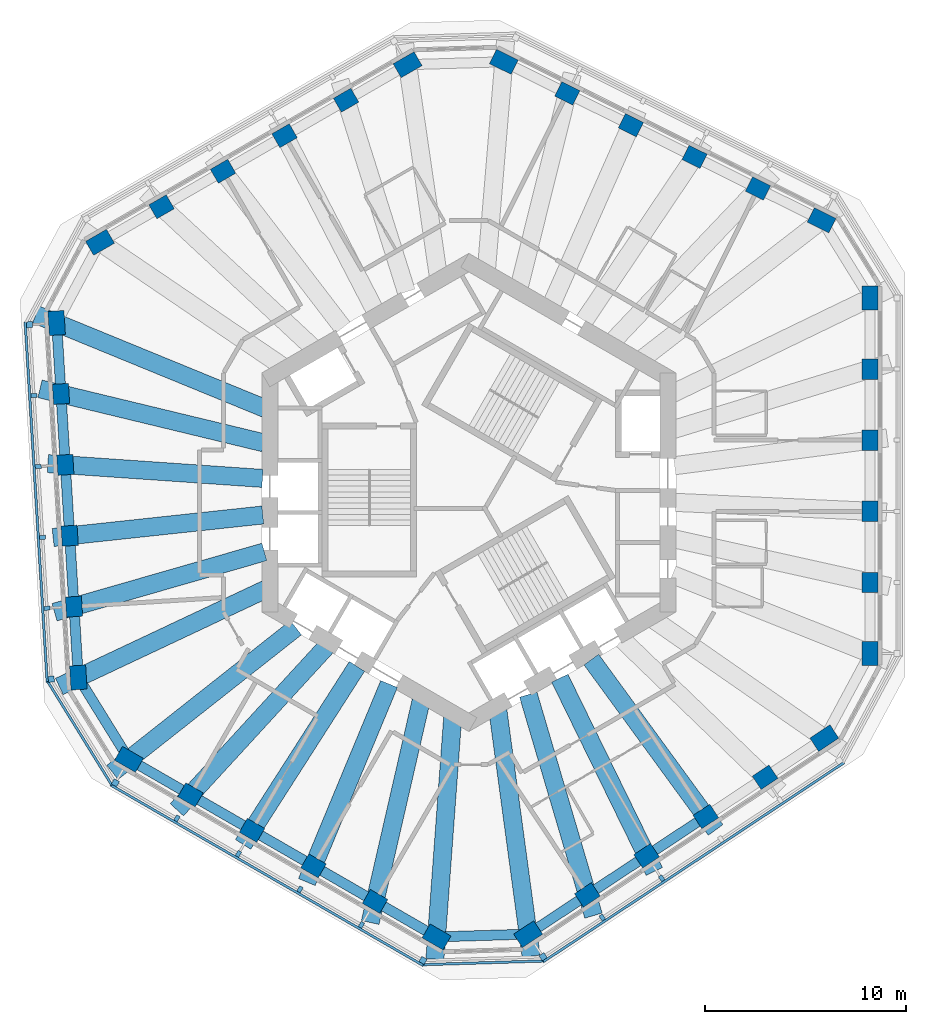
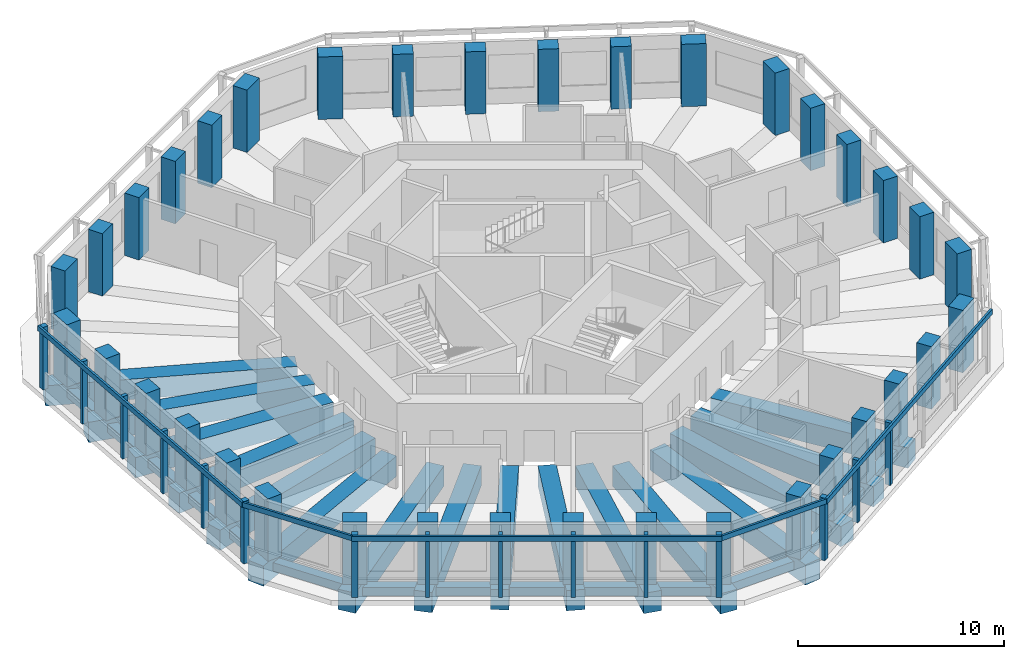
# One storey, part 1 of 11: 36 columns, 31 beams, 20 members, 5 elements without a shape of their own.
"""IFC4 building model written with IfcOpenShell, lengths in metres."""

from ifc_helpers import new_model, si_unit, direction, frame, origin, origin_2d, place, context, subcontext, project, spatial, rectangle, extrude, material, material_profile, profile_set, type_object, element, aggregate, save


model = new_model("IFC4")

# Units and contexts
model_context = context("Model", 3, precision=1e-05, world=origin(), true_north=direction((0.0, 1.0)))
body_context = subcontext(model_context, "Body", "Model", "MODEL_VIEW")
ifc_project = project(units=[si_unit("LENGTHUNIT", "METRE"), si_unit("AREAUNIT", "SQUARE_METRE"), si_unit("VOLUMEUNIT", "CUBIC_METRE"), si_unit("PLANEANGLEUNIT", "RADIAN"), si_unit("MASSUNIT", "GRAM", prefix="KILO")], contexts=[model_context])

# Site, building, storey
site_placement = place(None, origin())
site = spatial("IfcSite", under=ifc_project, at=site_placement, CompositionType="ELEMENT")
building_placement = place(site_placement, origin())
building = spatial("IfcBuilding", under=site, at=building_placement, Name="Vanh Sen Convention Tower", CompositionType="ELEMENT")
storey_placement = place(building_placement, frame((0.0, 0.0, 210.60009765625)))
storey = spatial("IfcBuildingStorey", under=building, at=storey_placement, Name="L52", CompositionType="ELEMENT", Elevation=210.60009765625)

# Columns
ifc_material_1 = material(Name="Concrete C60/75", Category="concrete")
ifc_material_profile_1 = material_profile(ifc_material_1, rectangle(XDim=1.0, YDim=0.800048828125, at=origin_2d()), Name="RC 1000X800")
ifc_profile_set_1 = profile_set([ifc_material_profile_1], Name="Concrete C60/75")
column_type_1 = type_object("IfcColumnType", Name="Facade column 1000 x 800 C60/75", PredefinedType="COLUMN", material=ifc_profile_set_1)
for number, where, z_axis, x_axis, name in (
    (1, (19.949951171875, -4.46923828125, 0.0), (0.0, 0.0, 1.0), (0.0, 1.0, 0.0), "Facade column 02 L52"),
    (2, (19.949951171875, -0.935546875, 0.0), (0.0, 0.0, 1.0), (0.0, 1.0, 0.0), "Facade column 03 L52"),
    (3, (19.949951171875, 2.59814453125, 0.0), (0.0, 0.0, 1.0), (0.0, 1.0, 0.0), "Facade column 04 L52"),
    (4, (19.949951171875, 6.131591796875, 0.0), (0.0, 0.0, 1.0), (0.0, 1.0, 0.0), "Facade column 05 L52"),
    (5, (14.38916015625, 15.117919921875, 0.0), (0.0, 0.0, 1.0), (-0.894934361602, 0.44619781311, 0.0), "Facade column 08 L52"),
    (6, (11.226806640625, 16.694580078125, 0.0), (0.0, 0.0, 1.0), (-0.894934361602, 0.44619781311, 0.0), "Facade column 09 L52"),
    (7, (8.064453125, 18.271484375, 0.0), (0.0, 0.0, 1.0), (-0.894934361602, 0.44619781311, 0.0), "Facade column 10 L52"),
    (8, (4.902099609375, 19.84814453125, 0.0), (0.0, 0.0, 1.0), (-0.894934361602, 0.44619781311, 0.0), "Facade column 11 L52"),
    (9, (-6.1044921875, 19.51171875, 0.0), (0.0, 0.0, 1.0), (-0.866025403784, -0.5, 0.0), "Facade column 14 L52"),
    (10, (-9.164794921875, 17.7451171875, 0.0), (0.0, 0.0, 1.0), (-0.866025403784, -0.5, 0.0), "Facade column 15 L52"),
    (11, (-12.22509765625, 15.978271484375, 0.0), (0.0, 0.0, 1.0), (-0.866025403784, -0.5, 0.0), "Facade column 16 L52"),
    (12, (-15.28515625, 14.211181640625, 0.0), (0.0, 0.0, 1.0), (-0.866025403784, -0.5, 0.0), "Facade column 17 L52"),
    (13, (-20.287109375, 4.90234375, 0.0), (0.0, 0.0, 1.0), (0.061048539535, -0.998134798422, 0.0), "Facade column 20 L52"),
    (14, (-20.0712890625, 1.375244140625, 0.0), (0.0, 0.0, 1.0), (0.061048539535, -0.998134798422, 0.0), "Facade column 21 L52"),
    (15, (-19.855712890625, -2.151611328125, 0.0), (0.0, 0.0, 1.0), (0.061048539535, -0.998134798422, 0.0), "Facade column 22 L52"),
    (16, (-19.639892578125, -5.6787109375, 0.0), (0.0, 0.0, 1.0), (0.061048539535, -0.998134798422, 0.0), "Facade column 23 L52"),
    (17, (-13.845458984375, -15.04248046875, 0.0), (0.0, 0.0, 1.0), (0.866025403784, -0.5, 0.0), "Facade column 26 L52"),
    (18, (-10.78515625, -16.809326171875, 0.0), (0.0, 0.0, 1.0), (0.866025403784, -0.5, 0.0), "Facade column 27 L52"),
    (19, (-7.72509765625, -18.576416015625, 0.0), (0.0, 0.0, 1.0), (0.866025403784, -0.5, 0.0), "Facade column 28 L52"),
    (20, (-4.664794921875, -20.343017578125, 0.0), (0.0, 0.0, 1.0), (0.866025403784, -0.5, 0.0), "Facade column 29 L52"),
    (21, (5.89794921875, -20.0205078125, 0.0), (0.0, 0.0, 1.0), (0.833885822067, 0.551936985312, 0.0), "Facade column 32 L52"),
    (22, (8.844482421875, -18.070068359375, 0.0), (0.0, 0.0, 1.0), (0.833885822067, 0.551936985312, 0.0), "Facade column 33 L52"),
    (23, (11.791259765625, -16.11962890625, 0.0), (0.0, 0.0, 1.0), (0.833885822067, 0.551936985312, 0.0), "Facade column 34 L52"),
    (24, (14.73779296875, -14.169189453125, 0.0), (0.0, 0.0, 1.0), (0.833885822067, 0.551936985312, 0.0), "Facade column 35 L52"),
):
    element("IfcColumn", number, at=place(storey_placement, frame(where, z_axis=z_axis, x_axis=x_axis)), inside=storey, type_object=column_type_1, Name=name, PredefinedType="COLUMN", context=body_context, shape_type="SweptSolid", body=[
        extrude(rectangle(XDim=1.0, YDim=0.800048828125, at=origin_2d()), origin(), (0.0, 0.0, 1.0), 3.699951171875),
    ])
ifc_material_profile_2 = material_profile(ifc_material_1, rectangle(XDim=1.199951171875, YDim=0.800048828125, at=origin_2d()), Name="RC 1200X800")
ifc_profile_set_2 = profile_set([ifc_material_profile_2], Name="Concrete C60/75")
column_type_2 = type_object("IfcColumnType", Name="Facade corner column 1200 x 800 C60/75", PredefinedType="COLUMN", material=ifc_profile_set_2)
for number, where, z_axis, x_axis, name in (
    (25, (19.949951171875, -8.002685546875, 0.0), (0.0, 0.0, 1.0), (0.0, 1.0, 0.0), "Facade column 01 L52"),
    (26, (19.949951171875, 9.665283203125, 0.0), (0.0, 0.0, 1.0), (0.0, 1.0, 0.0), "Facade column 06 L52"),
    (27, (17.551513671875, 13.541259765625, 0.0), (0.0, 0.0, 1.0), (-0.894934361602, 0.44619781311, 0.0), "Facade column 07 L52"),
    (28, (1.73974609375, 21.4248046875, 0.0), (0.0, 0.0, 1.0), (-0.894934361602, 0.44619781311, 0.0), "Facade column 12 L52"),
    (29, (-3.04443359375, 21.278564453125, 0.0), (0.0, 0.0, 1.0), (-0.866025403784, -0.5, 0.0), "Facade column 13 L52"),
    (30, (-18.345458984375, 12.444580078125, 0.0), (0.0, 0.0, 1.0), (-0.866025403784, -0.5, 0.0), "Facade column 18 L52"),
    (31, (-20.502685546875, 8.429443359375, 0.0), (0.0, 0.0, 1.0), (0.061048539535, -0.998134798422, 0.0), "Facade column 19 L52"),
    (32, (-19.42431640625, -9.205810546875, 0.0), (0.0, 0.0, 1.0), (0.061048539535, -0.998134798422, 0.0), "Facade column 24 L52"),
    (33, (-16.905517578125, -13.27587890625, 0.0), (0.0, 0.0, 1.0), (0.866025403784, -0.5, 0.0), "Facade column 25 L52"),
    (34, (-1.6044921875, -22.10986328125, 0.0), (0.0, 0.0, 1.0), (0.866025403784, -0.5, 0.0), "Facade column 30 L52"),
    (35, (2.951416015625, -21.970703125, 0.0), (0.0, 0.0, 1.0), (0.833885822067, 0.551936985312, 0.0), "Facade column 31 L52"),
    (36, (17.6845703125, -12.218994140625, 0.0), (0.0, 0.0, 1.0), (0.833885822067, 0.551936985312, 0.0), "Facade column 36 L52"),
):
    element("IfcColumn", number, at=place(storey_placement, frame(where, z_axis=z_axis, x_axis=x_axis)), inside=storey, type_object=column_type_2, Name=name, PredefinedType="COLUMN", context=body_context, shape_type="SweptSolid", body=[
        extrude(rectangle(XDim=1.199951171875, YDim=0.800048828125, at=origin_2d()), origin(), (0.0, 0.0, 1.0), 3.699951171875),
    ])

# Curtain wall, members
ifc_material_2 = material(Name="Concrete C50/60", Category="concrete")
curtain_wall_type = type_object("IfcCurtainWallType", Name="Outer skin office zone", PredefinedType="NOTDEFINED", material=ifc_material_2)
curtain_wall_1_placement = place(storey_placement, origin())
curtain_wall_1 = element("IfcCurtainWall", 37, at=curtain_wall_1_placement, inside=storey, type_object=curtain_wall_type, Name="OUTER SKIN W L52", PredefinedType="NOTDEFINED")
ifc_material_profile_3 = material_profile(ifc_material_2, rectangle(XDim=0.300048828125, YDim=0.300048828125, at=origin_2d()), Name="Outer skin precast corner fin 300 x 300")
ifc_profile_set_3 = profile_set([ifc_material_profile_3], Name="Concrete C50/60")
member_type_1 = type_object("IfcMemberType", Name="Outer skin precast corner fin 300 x 300", PredefinedType="MULLION", material=ifc_profile_set_3)
member_1_placement = place(storey_placement, frame((-21.850341796875, 8.346923828125, 0.0), z_axis=(0.0, 0.0, 1.0), x_axis=(0.061048539535, -0.998134798422, 0.0)))
member_1 = element("IfcMember", 38, at=member_1_placement, type_object=member_type_1, Name="OUTER SKIN CORNER FIN 1 W L52", PredefinedType="MULLION", context=body_context, shape_type="SweptSolid", body=[
    extrude(rectangle(XDim=0.300048828125, YDim=0.300048828125, at=origin_2d()), origin(), (0.0, 0.0, 1.0), 3.699951171875),
])
member_2_placement = place(storey_placement, frame((-20.771728515625, -9.2880859375, 0.0), z_axis=(0.0, 0.0, 1.0), x_axis=(0.061048539535, -0.998134798422, 0.0)))
member_2 = element("IfcMember", 39, at=member_2_placement, type_object=member_type_1, Name="OUTER SKIN CORNER FIN 6 W L52", PredefinedType="MULLION", context=body_context, shape_type="SweptSolid", body=[
    extrude(rectangle(XDim=0.300048828125, YDim=0.300048828125, at=origin_2d()), origin(), (0.0, 0.0, 1.0), 3.699951171875),
])

curtain_wall_2_placement = place(storey_placement, origin())
curtain_wall_2 = element("IfcCurtainWall", 40, at=curtain_wall_2_placement, inside=storey, type_object=curtain_wall_type, Name="OUTER SKIN SW L52", PredefinedType="NOTDEFINED")
member_3_placement = place(storey_placement, frame((-17.58056640625, -14.44482421875, 0.0), z_axis=(0.0, 0.0, 1.0), x_axis=(0.866025403784, -0.5, 0.0)))
member_3 = element("IfcMember", 41, at=member_3_placement, type_object=member_type_1, Name="OUTER SKIN CORNER FIN 1 SW L52", PredefinedType="MULLION", context=body_context, shape_type="SweptSolid", body=[
    extrude(rectangle(XDim=0.300048828125, YDim=0.300048828125, at=origin_2d()), origin(), (0.0, 0.0, 1.0), 3.699951171875),
])
member_4_placement = place(storey_placement, frame((-2.279541015625, -23.279052734375, 0.0), z_axis=(0.0, 0.0, 1.0), x_axis=(0.866025403784, -0.5, 0.0)))
member_4 = element("IfcMember", 42, at=member_4_placement, type_object=member_type_1, Name="OUTER SKIN CORNER FIN 6 SW L52", PredefinedType="MULLION", context=body_context, shape_type="SweptSolid", body=[
    extrude(rectangle(XDim=0.300048828125, YDim=0.300048828125, at=origin_2d()), origin(), (0.0, 0.0, 1.0), 3.699951171875),
])

# Curtain wall, member
curtain_wall_3_placement = place(storey_placement, origin())
curtain_wall_3 = element("IfcCurtainWall", 43, at=curtain_wall_3_placement, inside=storey, type_object=curtain_wall_type, Name="OUTER SKIN SE L52", PredefinedType="NOTDEFINED")
member_5_placement = place(storey_placement, frame((3.6962890625, -23.096435546875, 0.0), z_axis=(0.0, 0.0, 1.0), x_axis=(0.833885822067, 0.551936985312, 0.0)))
member_5 = element("IfcMember", 44, at=member_5_placement, type_object=member_type_1, Name="OUTER SKIN CORNER FIN 1 SE L52", PredefinedType="MULLION", context=body_context, shape_type="SweptSolid", body=[
    extrude(rectangle(XDim=0.300048828125, YDim=0.300048828125, at=origin_2d()), origin(), (0.0, 0.0, 1.0), 3.699951171875),
])

# Member
ifc_material_profile_4 = material_profile(ifc_material_2, rectangle(XDim=0.199951171875, YDim=0.300048828125, at=origin_2d()), Name="Outer skin precast fin 200 x 300")
ifc_profile_set_4 = profile_set([ifc_material_profile_4], Name="Concrete C50/60")
member_type_2 = type_object("IfcMemberType", Name="Outer skin precast fin 200 x 300", PredefinedType="MULLION", material=ifc_profile_set_4)
member_6_placement = place(storey_placement, frame((-21.634521484375, 4.820068359375, 0.0), z_axis=(0.0, 0.0, 1.0), x_axis=(0.061048539535, -0.998134798422, 0.0)))
member_6 = element("IfcMember", 45, at=member_6_placement, type_object=member_type_2, Name="OUTER SKIN fin 2 W L52", PredefinedType="MULLION", context=body_context, shape_type="SweptSolid", body=[
    extrude(rectangle(XDim=0.199951171875, YDim=0.300048828125, at=origin_2d()), origin(), (0.0, 0.0, 1.0), 3.699951171875),
])

member_7_placement = place(storey_placement, frame((-21.4189453125, 1.29296875, 0.0), z_axis=(0.0, 0.0, 1.0), x_axis=(0.061048539535, -0.998134798422, 0.0)))
member_7 = element("IfcMember", 46, at=member_7_placement, type_object=member_type_2, Name="OUTER SKIN fin 3 W L52", PredefinedType="MULLION", context=body_context, shape_type="SweptSolid", body=[
    extrude(rectangle(XDim=0.199951171875, YDim=0.300048828125, at=origin_2d()), origin(), (0.0, 0.0, 1.0), 3.699951171875),
])

member_8_placement = place(storey_placement, frame((-21.203125, -2.234130859375, 0.0), z_axis=(0.0, 0.0, 1.0), x_axis=(0.061048539535, -0.998134798422, 0.0)))
member_8 = element("IfcMember", 47, at=member_8_placement, type_object=member_type_2, Name="OUTER SKIN fin 4 W L52", PredefinedType="MULLION", context=body_context, shape_type="SweptSolid", body=[
    extrude(rectangle(XDim=0.199951171875, YDim=0.300048828125, at=origin_2d()), origin(), (0.0, 0.0, 1.0), 3.699951171875),
])

member_9_placement = place(storey_placement, frame((-20.987548828125, -5.760986328125, 0.0), z_axis=(0.0, 0.0, 1.0), x_axis=(0.061048539535, -0.998134798422, 0.0)))
member_9 = element("IfcMember", 48, at=member_9_placement, type_object=member_type_2, Name="OUTER SKIN fin 5 W L52", PredefinedType="MULLION", context=body_context, shape_type="SweptSolid", body=[
    extrude(rectangle(XDim=0.199951171875, YDim=0.300048828125, at=origin_2d()), origin(), (0.0, 0.0, 1.0), 3.699951171875),
])

member_10_placement = place(storey_placement, frame((-14.5205078125, -16.211669921875, 0.0), z_axis=(0.0, 0.0, 1.0), x_axis=(0.866025403784, -0.5, 0.0)))
member_10 = element("IfcMember", 49, at=member_10_placement, type_object=member_type_2, Name="OUTER SKIN fin 2 SW L52", PredefinedType="MULLION", context=body_context, shape_type="SweptSolid", body=[
    extrude(rectangle(XDim=0.199951171875, YDim=0.300048828125, at=origin_2d()), origin(), (0.0, 0.0, 1.0), 3.699951171875),
])

member_11_placement = place(storey_placement, frame((-11.460205078125, -17.978515625, 0.0), z_axis=(0.0, 0.0, 1.0), x_axis=(0.866025403784, -0.5, 0.0)))
member_11 = element("IfcMember", 50, at=member_11_placement, type_object=member_type_2, Name="OUTER SKIN fin 3 SW L52", PredefinedType="MULLION", context=body_context, shape_type="SweptSolid", body=[
    extrude(rectangle(XDim=0.199951171875, YDim=0.300048828125, at=origin_2d()), origin(), (0.0, 0.0, 1.0), 3.699951171875),
])

member_12_placement = place(storey_placement, frame((-8.39990234375, -19.745361328125, 0.0), z_axis=(0.0, 0.0, 1.0), x_axis=(0.866025403784, -0.5, 0.0)))
member_12 = element("IfcMember", 51, at=member_12_placement, type_object=member_type_2, Name="OUTER SKIN fin 4 SW L52", PredefinedType="MULLION", context=body_context, shape_type="SweptSolid", body=[
    extrude(rectangle(XDim=0.199951171875, YDim=0.300048828125, at=origin_2d()), origin(), (0.0, 0.0, 1.0), 3.699951171875),
])

member_13_placement = place(storey_placement, frame((-5.33984375, -21.51220703125, 0.0), z_axis=(0.0, 0.0, 1.0), x_axis=(0.866025403784, -0.5, 0.0)))
member_13 = element("IfcMember", 52, at=member_13_placement, type_object=member_type_2, Name="OUTER SKIN fin 5 SW L52", PredefinedType="MULLION", context=body_context, shape_type="SweptSolid", body=[
    extrude(rectangle(XDim=0.199951171875, YDim=0.300048828125, at=origin_2d()), origin(), (0.0, 0.0, 1.0), 3.699951171875),
])

member_14_placement = place(storey_placement, frame((6.64306640625, -21.14599609375, 0.0), z_axis=(0.0, 0.0, 1.0), x_axis=(0.833885822067, 0.551936985312, 0.0)))
member_14 = element("IfcMember", 53, at=member_14_placement, type_object=member_type_2, Name="OUTER SKIN fin 2 SE L52", PredefinedType="MULLION", context=body_context, shape_type="SweptSolid", body=[
    extrude(rectangle(XDim=0.199951171875, YDim=0.300048828125, at=origin_2d()), origin(), (0.0, 0.0, 1.0), 3.699951171875),
])

member_15_placement = place(storey_placement, frame((9.589599609375, -19.19580078125, 0.0), z_axis=(0.0, 0.0, 1.0), x_axis=(0.833885822067, 0.551936985312, 0.0)))
member_15 = element("IfcMember", 54, at=member_15_placement, type_object=member_type_2, Name="OUTER SKIN fin 3 SE L52", PredefinedType="MULLION", context=body_context, shape_type="SweptSolid", body=[
    extrude(rectangle(XDim=0.199951171875, YDim=0.300048828125, at=origin_2d()), origin(), (0.0, 0.0, 1.0), 3.699951171875),
])

ifc_material_profile_5 = material_profile(ifc_material_2, rectangle(XDim=0.1201171875, YDim=0.300048828125, at=origin_2d()), Name="Outer skin precast spandrel band 300 x 120")
ifc_profile_set_5 = profile_set([ifc_material_profile_5], Name="Concrete C50/60")
member_type_3 = type_object("IfcMemberType", Name="Outer skin precast spandrel band 300 x 120", PredefinedType="USERDEFINED", material=ifc_profile_set_5)
member_16_placement = place(storey_placement, frame((-22.069091796875, 8.48388671875, 3.5498046875), z_axis=(0.061048457282, -0.998134803453, 0.0), x_axis=(0.998134803453, 0.061048457282, 0.0)))
member_16 = element("IfcMember", 55, at=member_16_placement, type_object=member_type_3, Name="OUTER SKIN spandrel band W L52", ObjectType="TRANSOM", PredefinedType="USERDEFINED", context=body_context, shape_type="SweptSolid", body=[
    extrude(rectangle(XDim=0.1201171875, YDim=0.300048828125, at=origin_2d()), origin(), (0.0, 0.0, 1.0), 17.968017578125),
])

aggregate(curtain_wall_1, [member_1, member_6, member_7, member_8, member_9, member_2, member_16])

# Curtain wall, member
curtain_wall_4_placement = place(storey_placement, origin())
curtain_wall_4 = element("IfcCurtainWall", 56, at=curtain_wall_4_placement, inside=storey, type_object=curtain_wall_type, Name="OUTER SKIN CH4 L52", PredefinedType="NOTDEFINED")
member_17_placement = place(storey_placement, frame((-20.9501953125, -9.398681640625, 3.5498046875), z_axis=(0.526193830542, -0.850364658661, 0.0), x_axis=(0.850364658661, 0.526193830542, 0.0)))
member_17 = element("IfcMember", 57, at=member_17_placement, type_object=member_type_3, Name="OUTER SKIN spandrel band CH4 L52", ObjectType="TRANSOM", PredefinedType="USERDEFINED", context=body_context, shape_type="SweptSolid", body=[
    extrude(rectangle(XDim=0.1201171875, YDim=0.300048828125, at=origin_2d()), origin(), (0.0, 0.0, 1.0), 6.064208984375),
])
aggregate(curtain_wall_4, [member_17])

# Member
member_18_placement = place(storey_placement, frame((-17.8154296875, -14.5517578125, 3.5498046875), z_axis=(0.866022898019, -0.500004340088, 0.0), x_axis=(0.500004340088, 0.866022898019, 0.0)))
member_18 = element("IfcMember", 58, at=member_18_placement, type_object=member_type_3, Name="OUTER SKIN spandrel band SW L52", ObjectType="TRANSOM", PredefinedType="USERDEFINED", context=body_context, shape_type="SweptSolid", body=[
    extrude(rectangle(XDim=0.1201171875, YDim=0.300048828125, at=origin_2d()), origin(), (0.0, 0.0, 1.0), 17.968017578125),
])

aggregate(curtain_wall_2, [member_3, member_10, member_11, member_12, member_13, member_4, member_18])

# Curtain wall, member
curtain_wall_5_placement = place(storey_placement, origin())
curtain_wall_5 = element("IfcCurtainWall", 59, at=curtain_wall_5_placement, inside=storey, type_object=curtain_wall_type, Name="OUTER SKIN CH5 L52", PredefinedType="NOTDEFINED")
member_19_placement = place(storey_placement, frame((-2.273193359375, -23.489013671875, 3.5498046875), z_axis=(0.99953342946, 0.030543794642, 0.0), x_axis=(-0.030543794642, 0.99953342946, 0.0)))
member_19 = element("IfcMember", 60, at=member_19_placement, type_object=member_type_3, Name="OUTER SKIN spandrel band CH5 L52", ObjectType="TRANSOM", PredefinedType="USERDEFINED", context=body_context, shape_type="SweptSolid", body=[
    extrude(rectangle(XDim=0.1201171875, YDim=0.300048828125, at=origin_2d()), origin(), (0.0, 0.0, 1.0), 5.978759765625),
])
aggregate(curtain_wall_5, [member_19])

# Member
member_20_placement = place(storey_placement, frame((3.687255859375, -23.3544921875, 3.5498046875), z_axis=(0.83388107344, 0.551944159638, 0.0), x_axis=(-0.551944159638, 0.83388107344, 0.0)))
member_20 = element("IfcMember", 61, at=member_20_placement, type_object=member_type_3, Name="OUTER SKIN spandrel band SE L52", ObjectType="TRANSOM", PredefinedType="USERDEFINED", context=body_context, shape_type="SweptSolid", body=[
    extrude(rectangle(XDim=0.1201171875, YDim=0.300048828125, at=origin_2d()), origin(), (0.0, 0.0, 1.0), 17.96826171875),
])

aggregate(curtain_wall_3, [member_5, member_14, member_15, member_20])

# Beams
ifc_material_3 = material(Name="Concrete C50/60", Category="concrete")
ifc_material_profile_6 = material_profile(ifc_material_3, rectangle(XDim=0.5, YDim=0.5, at=origin_2d()), Name="RC 500X500")
ifc_profile_set_6 = profile_set([ifc_material_profile_6], Name="Concrete C50/60")
beam_type_1 = type_object("IfcBeamType", Name="Spandrel beam 500 x 500", PredefinedType="SPANDREL", material=ifc_profile_set_6)
beam_1_placement = place(storey_placement, frame((-20.47998046875, 8.05615234375, -0.530029296875), z_axis=(0.061067063656, -0.998133665266, 0.0), x_axis=(0.998133665266, 0.061067063656, 0.0)))
element("IfcBeam", 62, at=beam_1_placement, inside=storey, type_object=beam_type_1, Name="Spandrel beam 19 L52", PredefinedType="SPANDREL", context=body_context, shape_type="SweptSolid", body=[
    extrude(rectangle(XDim=0.5, YDim=0.5, at=origin_2d()), origin(), (0.0, 0.0, 1.0), 2.7705078125),
])
beam_2_placement = place(storey_placement, frame((-20.263427734375, 4.51416015625, -0.530029296875), z_axis=(0.061113701817, -0.998130810791, 0.0), x_axis=(0.998130810791, 0.061113701817, 0.0)))
element("IfcBeam", 63, at=beam_2_placement, inside=storey, type_object=beam_type_1, Name="Spandrel beam 20 L52", PredefinedType="SPANDREL", context=body_context, shape_type="SweptSolid", body=[
    extrude(rectangle(XDim=0.5, YDim=0.5, at=origin_2d()), origin(), (0.0, 0.0, 1.0), 2.728515625),
])
beam_3_placement = place(storey_placement, frame((-20.0458984375, 0.9599609375, -0.530029296875), z_axis=(0.061047170352, -0.998134882164, 0.0), x_axis=(0.998134882164, 0.061047170352, 0.0)))
element("IfcBeam", 64, at=beam_3_placement, inside=storey, type_object=beam_type_1, Name="Spandrel beam 21 L52", PredefinedType="SPANDREL", context=body_context, shape_type="SweptSolid", body=[
    extrude(rectangle(XDim=0.5, YDim=0.5, at=origin_2d()), origin(), (0.0, 0.0, 1.0), 2.68359375),
])
beam_4_placement = place(storey_placement, frame((-19.8291015625, -2.5849609375, -0.530029296875), z_axis=(0.061054891408, -0.998134409904, 0.0), x_axis=(0.998134409904, 0.061054891408, 0.0)))
element("IfcBeam", 65, at=beam_4_placement, inside=storey, type_object=beam_type_1, Name="Spandrel beam 22 L52", PredefinedType="SPANDREL", context=body_context, shape_type="SweptSolid", body=[
    extrude(rectangle(XDim=0.5, YDim=0.5, at=origin_2d()), origin(), (0.0, 0.0, 1.0), 2.69921875),
])
beam_5_placement = place(storey_placement, frame((-19.615478515625, -6.078369140625, -0.530029296875), z_axis=(0.061003697926, -0.998137540041, 0.0), x_axis=(0.998137540041, 0.061003697926, 0.0)))
element("IfcBeam", 66, at=beam_5_placement, inside=storey, type_object=beam_type_1, Name="Spandrel beam 23 L52", PredefinedType="SPANDREL", context=body_context, shape_type="SweptSolid", body=[
    extrude(rectangle(XDim=0.5, YDim=0.5, at=origin_2d()), origin(), (0.0, 0.0, 1.0), 2.75341796875),
])
beam_6_placement = place(storey_placement, frame((-19.20361328125, -9.5625, -0.530029296875), z_axis=(0.526252411902, -0.850328406539, 0.0), x_axis=(0.850328406539, 0.526252411902, 0.0)))
element("IfcBeam", 67, at=beam_6_placement, inside=storey, type_object=beam_type_1, Name="Spandrel beam 24 L52", PredefinedType="SPANDREL", context=body_context, shape_type="SweptSolid", body=[
    extrude(rectangle(XDim=0.5, YDim=0.5, at=origin_2d()), origin(), (0.0, 0.0, 1.0), 3.947509765625),
])
beam_7_placement = place(storey_placement, frame((-16.57666015625, -13.4658203125, -0.530029296875), z_axis=(0.866063032709, -0.499934819127, 0.0), x_axis=(0.499934819127, 0.866063032709, 0.0)))
element("IfcBeam", 68, at=beam_7_placement, inside=storey, type_object=beam_type_1, Name="Spandrel beam 25 L52", PredefinedType="SPANDREL", context=body_context, shape_type="SweptSolid", body=[
    extrude(rectangle(XDim=0.5, YDim=0.5, at=origin_2d()), origin(), (0.0, 0.0, 1.0), 2.753173828125),
])
beam_8_placement = place(storey_placement, frame((-13.49853515625, -15.242919921875, -0.530029296875), z_axis=(0.866047004096, -0.499962585297, 0.0), x_axis=(0.499962585297, 0.866047004096, 0.0)))
element("IfcBeam", 69, at=beam_8_placement, inside=storey, type_object=beam_type_1, Name="Spandrel beam 26 L52", PredefinedType="SPANDREL", context=body_context, shape_type="SweptSolid", body=[
    extrude(rectangle(XDim=0.5, YDim=0.5, at=origin_2d()), origin(), (0.0, 0.0, 1.0), 2.698974609375),
])
beam_9_placement = place(storey_placement, frame((-10.4091796875, -17.0263671875, -0.530029296875), z_axis=(0.865994666562, -0.500053234653, 0.0), x_axis=(0.500053234653, 0.865994666562, 0.0)))
element("IfcBeam", 70, at=beam_9_placement, inside=storey, type_object=beam_type_1, Name="Spandrel beam 27 L52", PredefinedType="SPANDREL", context=body_context, shape_type="SweptSolid", body=[
    extrude(rectangle(XDim=0.5, YDim=0.5, at=origin_2d()), origin(), (0.0, 0.0, 1.0), 2.683349609375),
])
beam_10_placement = place(storey_placement, frame((-7.364501953125, -18.784423828125, -0.530029296875), z_axis=(0.86600974591, -0.500027119254, 0.0), x_axis=(0.500027119254, 0.86600974591, 0.0)))
element("IfcBeam", 71, at=beam_10_placement, inside=storey, type_object=beam_type_1, Name="Spandrel beam 28 L52", PredefinedType="SPANDREL", context=body_context, shape_type="SweptSolid", body=[
    extrude(rectangle(XDim=0.5, YDim=0.5, at=origin_2d()), origin(), (0.0, 0.0, 1.0), 2.728271484375),
])
beam_11_placement = place(storey_placement, frame((-4.327880859375, -20.53759765625, -0.530029296875), z_axis=(0.866032975699, -0.499986884831, 0.0), x_axis=(0.499986884831, 0.866032975699, 0.0)))
element("IfcBeam", 72, at=beam_11_placement, inside=storey, type_object=beam_type_1, Name="Spandrel beam 29 L52", PredefinedType="SPANDREL", context=body_context, shape_type="SweptSolid", body=[
    extrude(rectangle(XDim=0.5, YDim=0.5, at=origin_2d()), origin(), (0.0, 0.0, 1.0), 2.7705078125),
])
beam_12_placement = place(storey_placement, frame((-1.183349609375, -22.096923828125, -0.530029296875), z_axis=(0.999535009007, 0.030492060761, 0.0), x_axis=(-0.030492060761, 0.999535009007, 0.0)))
element("IfcBeam", 73, at=beam_12_placement, inside=storey, type_object=beam_type_1, Name="Spandrel beam 30 L52", PredefinedType="SPANDREL", context=body_context, shape_type="SweptSolid", body=[
    extrude(rectangle(XDim=0.5, YDim=0.5, at=origin_2d()), origin(), (0.0, 0.0, 1.0), 3.715087890625),
])
beam_13_placement = place(storey_placement, frame((3.26318359375, -21.764404296875, -0.530029296875), z_axis=(0.833862422814, 0.551972336099, 0.0), x_axis=(-0.551972336099, 0.833862422814, 0.0)))
element("IfcBeam", 74, at=beam_13_placement, inside=storey, type_object=beam_type_1, Name="Spandrel beam 31 L52", PredefinedType="SPANDREL", context=body_context, shape_type="SweptSolid", body=[
    extrude(rectangle(XDim=0.5, YDim=0.5, at=origin_2d()), origin(), (0.0, 0.0, 1.0), 2.7705078125),
])
beam_14_placement = place(storey_placement, frame((6.222412109375, -19.8056640625, -0.530029296875), z_axis=(0.833890415975, 0.551930044611, 0.0), x_axis=(-0.551930044611, 0.833890415975, 0.0)))
element("IfcBeam", 75, at=beam_14_placement, inside=storey, type_object=beam_type_1, Name="Spandrel beam 32 L52", PredefinedType="SPANDREL", context=body_context, shape_type="SweptSolid", body=[
    extrude(rectangle(XDim=0.5, YDim=0.5, at=origin_2d()), origin(), (0.0, 0.0, 1.0), 2.728271484375),
])
beam_15_placement = place(storey_placement, frame((9.191650390625, -17.84033203125, -0.530029296875), z_axis=(0.833879250427, 0.551946913849, 0.0), x_axis=(-0.551946913849, 0.833879250427, 0.0)))
element("IfcBeam", 76, at=beam_15_placement, inside=storey, type_object=beam_type_1, Name="Spandrel beam 33 L52", PredefinedType="SPANDREL", context=body_context, shape_type="SweptSolid", body=[
    extrude(rectangle(XDim=0.5, YDim=0.5, at=origin_2d()), origin(), (0.0, 0.0, 1.0), 2.68359375),
])
ifc_material_profile_7 = material_profile(ifc_material_3, rectangle(XDim=0.89990234375, YDim=1.199951171875, at=origin_2d()), Name="RC 900X1200")
ifc_profile_set_7 = profile_set([ifc_material_profile_7], Name="Concrete C50/60")
beam_type_2 = type_object("IfcBeamType", Name="Transfer beam 900 x 1200", PredefinedType="BEAM", material=ifc_profile_set_7)
beam_16_placement = place(storey_placement, frame((-21.531005859375, 8.85107421875, -0.60009765625), z_axis=(0.925221388022, -0.379427704769, 0.0), x_axis=(0.379427704769, 0.925221388022, 0.0)))
element("IfcBeam", 77, at=beam_16_placement, inside=storey, type_object=beam_type_2, Name="Transfer beam 19 L52", PredefinedType="BEAM", context=body_context, shape_type="SweptSolid", body=[
    extrude(rectangle(XDim=0.89990234375, YDim=1.199951171875, at=origin_2d()), origin(), (0.0, 0.0, 1.0), 12.328369140625),
])
beam_17_placement = place(storey_placement, frame((-21.331787109375, 5.154541015625, -0.60009765625), z_axis=(0.972101973694, -0.234558633908, 0.0), x_axis=(0.234558633908, 0.972101973694, 0.0)))
element("IfcBeam", 78, at=beam_17_placement, inside=storey, type_object=beam_type_2, Name="Transfer beam 20 L52", PredefinedType="BEAM", context=body_context, shape_type="SweptSolid", body=[
    extrude(rectangle(XDim=0.89990234375, YDim=1.199951171875, at=origin_2d()), origin(), (0.0, 0.0, 1.0), 11.4619140625),
])
beam_18_placement = place(storey_placement, frame((-20.93994140625, 1.43505859375, -0.60009765625), z_axis=(0.997637720533, -0.068694822002, 0.0), x_axis=(0.068694822002, 0.997637720533, 0.0)))
element("IfcBeam", 79, at=beam_18_placement, inside=storey, type_object=beam_type_2, Name="Transfer beam 21 L52", PredefinedType="BEAM", context=body_context, shape_type="SweptSolid", body=[
    extrude(rectangle(XDim=0.89990234375, YDim=1.199951171875, at=origin_2d()), origin(), (0.0, 0.0, 1.0), 10.701171875),
])
beam_19_placement = place(storey_placement, frame((-20.677490234375, -2.239990234375, -0.60009765625), z_axis=(0.994290561523, 0.10670650995, 0.0), x_axis=(-0.10670650995, 0.994290561523, 0.0)))
element("IfcBeam", 80, at=beam_19_placement, inside=storey, type_object=beam_type_2, Name="Transfer beam 22 L52", PredefinedType="BEAM", context=body_context, shape_type="SweptSolid", body=[
    extrude(rectangle(XDim=0.89990234375, YDim=1.199951171875, at=origin_2d()), origin(), (0.0, 0.0, 1.0), 10.490234375),
])
beam_20_placement = place(storey_placement, frame((-20.606689453125, -5.956298828125, -0.60009765625), z_axis=(0.961118175511, 0.276137380125, 0.0), x_axis=(-0.276137380125, 0.961118175511, 0.0)))
element("IfcBeam", 81, at=beam_20_placement, inside=storey, type_object=beam_type_2, Name="Transfer beam 23 L52", PredefinedType="BEAM", context=body_context, shape_type="SweptSolid", body=[
    extrude(rectangle(XDim=0.89990234375, YDim=1.199951171875, at=origin_2d()), origin(), (0.0, 0.0, 1.0), 10.85791015625),
])
beam_21_placement = place(storey_placement, frame((-20.3701171875, -9.651611328125, -0.60009765625), z_axis=(0.904600660542, 0.426260067267, 0.0), x_axis=(-0.426260067267, 0.904600660542, 0.0)))
element("IfcBeam", 82, at=beam_21_placement, inside=storey, type_object=beam_type_2, Name="Transfer beam 24 L52", PredefinedType="BEAM", context=body_context, shape_type="SweptSolid", body=[
    extrude(rectangle(XDim=0.89990234375, YDim=1.199951171875, at=origin_2d()), origin(), (0.0, 0.0, 1.0), 11.34912109375),
])
beam_22_placement = place(storey_placement, frame((-17.7265625, -13.92333984375, -0.60009765625), z_axis=(0.78512905683, 0.61933219206, 0.0), x_axis=(-0.61933219206, 0.78512905683, 0.0)))
element("IfcBeam", 83, at=beam_22_placement, inside=storey, type_object=beam_type_2, Name="Transfer beam 25 L52", PredefinedType="BEAM", context=body_context, shape_type="SweptSolid", body=[
    extrude(rectangle(XDim=0.89990234375, YDim=1.199951171875, at=origin_2d()), origin(), (0.0, 0.0, 1.0), 11.6181640625),
])
beam_23_placement = place(storey_placement, frame((-14.525146484375, -15.78369140625, -0.60009765625), z_axis=(0.675918648858, 0.736976241222, 0.0), x_axis=(-0.736976241222, 0.675918648858, 0.0)))
element("IfcBeam", 84, at=beam_23_placement, inside=storey, type_object=beam_type_2, Name="Transfer beam 26 L52", PredefinedType="BEAM", context=body_context, shape_type="SweptSolid", body=[
    extrude(rectangle(XDim=0.89990234375, YDim=1.199951171875, at=origin_2d()), origin(), (0.0, 0.0, 1.0), 10.995849609375),
])
beam_24_placement = place(storey_placement, frame((-11.230712890625, -17.505615234375, -0.60009765625), z_axis=(0.5391097134, 0.84223554717, 0.0), x_axis=(-0.84223554717, 0.5391097134, 0.0)))
element("IfcBeam", 85, at=beam_24_placement, inside=storey, type_object=beam_type_2, Name="Transfer beam 27 L52", PredefinedType="BEAM", context=body_context, shape_type="SweptSolid", body=[
    extrude(rectangle(XDim=0.89990234375, YDim=1.199951171875, at=origin_2d()), origin(), (0.0, 0.0, 1.0), 10.51220703125),
])
beam_25_placement = place(storey_placement, frame((-8.05908203125, -19.380126953125, -0.60009765625), z_axis=(0.383662787329, 0.923473261995, 0.0), x_axis=(-0.923473261995, 0.383662787329, 0.0)))
element("IfcBeam", 86, at=beam_25_placement, inside=storey, type_object=beam_type_2, Name="Transfer beam 28 L52", PredefinedType="BEAM", context=body_context, shape_type="SweptSolid", body=[
    extrude(rectangle(XDim=0.89990234375, YDim=1.199951171875, at=origin_2d()), origin(), (0.0, 0.0, 1.0), 10.666259765625),
])
beam_26_placement = place(storey_placement, frame((-4.905517578125, -21.390625, -0.60009765625), z_axis=(0.223844322168, 0.974624912176, 0.0), x_axis=(-0.974624912176, 0.223844322168, 0.0)))
element("IfcBeam", 87, at=beam_26_placement, inside=storey, type_object=beam_type_2, Name="Transfer beam 29 L52", PredefinedType="BEAM", context=body_context, shape_type="SweptSolid", body=[
    extrude(rectangle(XDim=0.89990234375, YDim=1.199951171875, at=origin_2d()), origin(), (0.0, 0.0, 1.0), 11.3125),
])
beam_27_placement = place(storey_placement, frame((-1.68603515625, -23.218017578125, -0.60009765625), z_axis=(0.073334406151, 0.99730740741, 0.0), x_axis=(-0.99730740741, 0.073334406151, 0.0)))
element("IfcBeam", 88, at=beam_27_placement, inside=storey, type_object=beam_type_2, Name="Transfer beam 30 L52", PredefinedType="BEAM", context=body_context, shape_type="SweptSolid", body=[
    extrude(rectangle(XDim=0.89990234375, YDim=1.199951171875, at=origin_2d()), origin(), (0.0, 0.0, 1.0), 12.051513671875),
])
beam_28_placement = place(storey_placement, frame((3.10009765625, -23.07177734375, -0.60009765625), z_axis=(-0.13403143254, 0.990977081012, 0.0), x_axis=(-0.990977081012, -0.13403143254, 0.0)))
element("IfcBeam", 89, at=beam_28_placement, inside=storey, type_object=beam_type_2, Name="Transfer beam 31 L52", PredefinedType="BEAM", context=body_context, shape_type="SweptSolid", body=[
    extrude(rectangle(XDim=0.89990234375, YDim=1.199951171875, at=origin_2d()), origin(), (0.0, 0.0, 1.0), 12.328125),
])
beam_29_placement = place(storey_placement, frame((6.201904296875, -21.051025390625, -0.60009765625), z_axis=(-0.282889300892, 0.959152565258, 0.0), x_axis=(-0.959152565258, -0.282889300892, 0.0)))
element("IfcBeam", 90, at=beam_29_placement, inside=storey, type_object=beam_type_2, Name="Transfer beam 32 L52", PredefinedType="BEAM", context=body_context, shape_type="SweptSolid", body=[
    extrude(rectangle(XDim=0.89990234375, YDim=1.199951171875, at=origin_2d()), origin(), (0.0, 0.0, 1.0), 11.4619140625),
])
beam_30_placement = place(storey_placement, frame((9.22705078125, -18.85205078125, -0.60009765625), z_axis=(-0.439293195276, 0.898343747451, 0.0), x_axis=(-0.898343747451, -0.439293195276, 0.0)))
element("IfcBeam", 91, at=beam_30_placement, inside=storey, type_object=beam_type_2, Name="Transfer beam 33 L52", PredefinedType="BEAM", context=body_context, shape_type="SweptSolid", body=[
    extrude(rectangle(XDim=0.89990234375, YDim=1.199951171875, at=origin_2d()), origin(), (0.0, 0.0, 1.0), 10.701171875),
])
beam_31_placement = place(storey_placement, frame((12.278564453125, -16.787109375, -0.60009765625), z_axis=(-0.589518733212, 0.80775470484, 0.0), x_axis=(-0.80775470484, -0.589518733212, 0.0)))
element("IfcBeam", 92, at=beam_31_placement, inside=storey, type_object=beam_type_2, Name="Transfer beam 34 L52", PredefinedType="BEAM", context=body_context, shape_type="SweptSolid", body=[
    extrude(rectangle(XDim=0.89990234375, YDim=1.199951171875, at=origin_2d()), origin(), (0.0, 0.0, 1.0), 10.489990234375),
])

save(model, "model.ifc")
